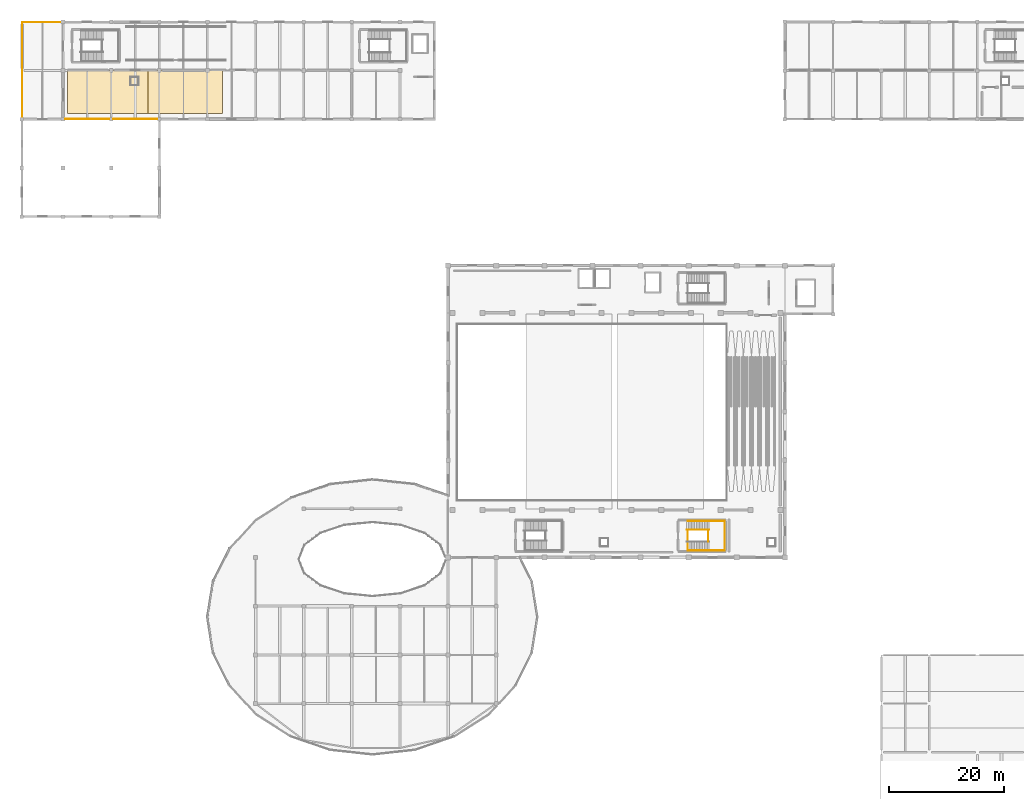
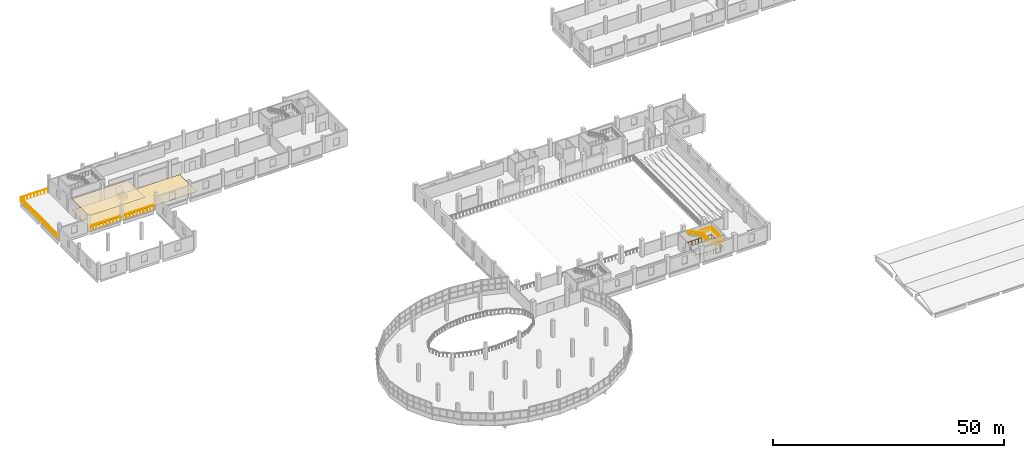
# One storey, part 46 of 50: 7 railings, 2 coverings.
"""IFC4 building model written with IfcOpenShell, lengths in metres."""

from ifc_helpers import new_model, si_unit, direction, frame, origin, origin_2d, place, context, subcontext, project, spatial, polyline, circle, outline, extrude, material, layer, layer_set, type_object, element, save


model = new_model("IFC4")

# Units and contexts
model_context = context("Model", 3, precision=1e-05, world=origin(), true_north=direction((0.0, 1.0)))
body_context = subcontext(model_context, "Body", "Model", "MODEL_VIEW")
ifc_project = project(units=[si_unit("LENGTHUNIT", "METRE"), si_unit("AREAUNIT", "SQUARE_METRE"), si_unit("VOLUMEUNIT", "CUBIC_METRE"), si_unit("PLANEANGLEUNIT", "RADIAN"), si_unit("MASSUNIT", "GRAM", prefix="KILO")], contexts=[model_context])

# Site, building, storey
site_placement = place(None, origin())
site = spatial("IfcSite", under=ifc_project, at=site_placement, CompositionType="ELEMENT")
building_placement = place(site_placement, origin())
building = spatial("IfcBuilding", under=site, at=building_placement, Name="Solvento Point Concert Hall", CompositionType="ELEMENT")
storey_placement = place(building_placement, frame((0.0, 0.0, 15.0)))
storey = spatial("IfcBuildingStorey", under=building, at=storey_placement, Name="L03", CompositionType="ELEMENT", Elevation=15.0)

# Covering
ifc_material_1 = material(Name="Suspended Timber-Slat Acoustic Ceiling", Category="wood")
ifc_layer_1 = layer(ifc_material_1, 0.050048828125)
ifc_layer_set_1 = layer_set([ifc_layer_1], Name="Suspended Timber-Slat Acoustic Ceiling")
covering_type_1 = type_object("IfcCoveringType", Name="AcousticCeiling_Timber", PredefinedType="CEILING", material=ifc_layer_set_1)
covering_1_placement = place(storey_placement, frame((0.0, 0.0, 3.0)))
element("IfcCovering", 1, at=covering_1_placement, inside=storey, type_object=covering_type_1, Name="Acoustic timber reflector ceiling CLG-V4-REC", PredefinedType="CEILING", context=body_context, shape_type="SweptSolid", body=[
    extrude(outline(polyline([(8.0, 120.0), (22.0, 120.0), (22.0, 127.5), (8.0, 127.5), (8.0, 120.0)])), origin(), (0.0, 0.0, 1.0), 0.050048828125),
])

# Railings
ifc_material_2 = material(Name="Brushed Stainless Steel Balustrade", Category="steel")
railing_type_1 = type_object("IfcRailingType", Name="StairHandrail_915", PredefinedType="HANDRAIL", material=ifc_material_2)
railing_1_placement = place(storey_placement, frame((119.969970703125, 47.35009765625, 2.39990234375)))
element("IfcRailing", 2, at=railing_1_placement, inside=storey, type_object=railing_type_1, Name="Stair handrail HR-01 ST-07 L03 F2", PredefinedType="HANDRAIL", context=body_context, shape_type="SweptSolid", body=[
    extrude(circle(Radius=0.0224609375, at=origin_2d()), frame((0.0, 0.0, 0.892578125), z_axis=(-0.881466911329, 0.0, 0.472245787945), x_axis=(0.0, -1.0, 0.0)), (0.0, 0.0, 1.0), 4.447021484375),
    extrude(circle(Radius=0.01904296875, at=origin_2d()), origin(), (0.0, 0.0, 1.0), 0.8701171875),
    extrude(circle(Radius=0.01904296875, at=origin_2d()), frame((-0.783935546875, 0.0, 0.419921875)), (0.0, 0.0, 1.0), 0.8701171875),
    extrude(circle(Radius=0.01904296875, at=origin_2d()), frame((-1.56787109375, 0.0, 0.840087890625)), (0.0, 0.0, 1.0), 0.8701171875),
    extrude(circle(Radius=0.01904296875, at=origin_2d()), frame((-2.35205078125, 0.0, 1.260009765625)), (0.0, 0.0, 1.0), 0.8701171875),
    extrude(circle(Radius=0.01904296875, at=origin_2d()), frame((-3.135986328125, 0.0, 1.68017578125)), (0.0, 0.0, 1.0), 0.8701171875),
    extrude(circle(Radius=0.01904296875, at=origin_2d()), frame((-3.919921875, 0.0, 2.10009765625)), (0.0, 0.0, 1.0), 0.8701171875),
])
ifc_material_3 = material(Name="Brushed Stainless Steel Balustrade", Category="steel")
railing_type_2 = type_object("IfcRailingType", Name="StairWellGuard_1100", PredefinedType="BALUSTRADE", material=ifc_material_3)
railing_2_placement = place(storey_placement, frame((116.219970703125, 47.300048828125, 0.0)))
element("IfcRailing", 3, at=railing_2_placement, inside=storey, type_object=railing_type_2, Name="Stairwell guard GR-02 ST-07 L03", PredefinedType="BALUSTRADE", context=body_context, shape_type="SweptSolid", body=[
    extrude(circle(Radius=0.02392578125, at=origin_2d()), frame((0.0, 0.0, 1.09619140625), z_axis=(0.0, -1.0, 0.0), x_axis=(1.0, 0.0, 0.0)), (0.0, 0.0, 1.0), 3.580078125),
    extrude(circle(Radius=0.02392578125, at=origin_2d()), frame((0.0, -3.580078125, 1.09619140625), z_axis=(1.0, 0.0, 0.0), x_axis=(0.0, 1.0, 0.0)), (0.0, 0.0, 1.0), 6.4599609375),
    extrude(circle(Radius=0.02392578125, at=origin_2d()), frame((6.4599609375, -3.580078125, 1.09619140625), z_axis=(0.0, 1.0, 0.0), x_axis=(-1.0, 0.0, 0.0)), (0.0, 0.0, 1.0), 5.159912109375),
    extrude(circle(Radius=0.02392578125, at=origin_2d()), frame((6.4599609375, 1.579833984375, 1.09619140625), z_axis=(-1.0, 0.0, 0.0), x_axis=(0.0, -1.0, 0.0)), (0.0, 0.0, 1.0), 6.4599609375),
    extrude(circle(Radius=0.02392578125, at=origin_2d()), frame((0.0, 1.579833984375, 1.09619140625), z_axis=(0.0, 1.0, 0.0), x_axis=(-1.0, 0.0, 0.0)), (0.0, 0.0, 1.0), 0.02001953125),
    extrude(circle(Radius=0.02099609375, at=origin_2d()), origin(), (0.0, 0.0, 1.0), 1.072021484375),
    extrude(circle(Radius=0.02099609375, at=origin_2d()), frame((0.0, -0.89501953125, 0.0)), (0.0, 0.0, 1.0), 1.072021484375),
    extrude(circle(Radius=0.02099609375, at=origin_2d()), frame((0.0, -1.7900390625, 0.0)), (0.0, 0.0, 1.0), 1.072021484375),
    extrude(circle(Radius=0.02099609375, at=origin_2d()), frame((0.0, -2.68505859375, 0.0)), (0.0, 0.0, 1.0), 1.072021484375),
    extrude(circle(Radius=0.02099609375, at=origin_2d()), frame((0.0, -3.580078125, 0.0)), (0.0, 0.0, 1.0), 1.072021484375),
    extrude(circle(Radius=0.02099609375, at=origin_2d()), frame((0.8076171875, -3.580078125, 0.0)), (0.0, 0.0, 1.0), 1.072021484375),
    extrude(circle(Radius=0.02099609375, at=origin_2d()), frame((1.614990234375, -3.580078125, 0.0)), (0.0, 0.0, 1.0), 1.072021484375),
    extrude(circle(Radius=0.02099609375, at=origin_2d()), frame((2.42236328125, -3.580078125, 0.0)), (0.0, 0.0, 1.0), 1.072021484375),
    extrude(circle(Radius=0.02099609375, at=origin_2d()), frame((3.22998046875, -3.580078125, 0.0)), (0.0, 0.0, 1.0), 1.072021484375),
    extrude(circle(Radius=0.02099609375, at=origin_2d()), frame((4.03759765625, -3.580078125, 0.0)), (0.0, 0.0, 1.0), 1.072021484375),
    extrude(circle(Radius=0.02099609375, at=origin_2d()), frame((4.844970703125, -3.580078125, 0.0)), (0.0, 0.0, 1.0), 1.072021484375),
    extrude(circle(Radius=0.02099609375, at=origin_2d()), frame((5.65234375, -3.580078125, 0.0)), (0.0, 0.0, 1.0), 1.072021484375),
    extrude(circle(Radius=0.02099609375, at=origin_2d()), frame((6.4599609375, -3.580078125, 0.0)), (0.0, 0.0, 1.0), 1.072021484375),
    extrude(circle(Radius=0.02099609375, at=origin_2d()), frame((6.4599609375, -2.72021484375, 0.0)), (0.0, 0.0, 1.0), 1.072021484375),
    extrude(circle(Radius=0.02099609375, at=origin_2d()), frame((6.4599609375, -1.860107421875, 0.0)), (0.0, 0.0, 1.0), 1.072021484375),
    extrude(circle(Radius=0.02099609375, at=origin_2d()), frame((6.4599609375, -1.0, 0.0)), (0.0, 0.0, 1.0), 1.072021484375),
    extrude(circle(Radius=0.02099609375, at=origin_2d()), frame((6.4599609375, -0.14013671875, 0.0)), (0.0, 0.0, 1.0), 1.072021484375),
    extrude(circle(Radius=0.02099609375, at=origin_2d()), frame((6.4599609375, 0.7197265625, 0.0)), (0.0, 0.0, 1.0), 1.072021484375),
    extrude(circle(Radius=0.02099609375, at=origin_2d()), frame((6.4599609375, 1.579833984375, 0.0)), (0.0, 0.0, 1.0), 1.072021484375),
    extrude(circle(Radius=0.02099609375, at=origin_2d()), frame((5.65234375, 1.579833984375, 0.0)), (0.0, 0.0, 1.0), 1.072021484375),
    extrude(circle(Radius=0.02099609375, at=origin_2d()), frame((4.844970703125, 1.579833984375, 0.0)), (0.0, 0.0, 1.0), 1.072021484375),
    extrude(circle(Radius=0.02099609375, at=origin_2d()), frame((4.03759765625, 1.579833984375, 0.0)), (0.0, 0.0, 1.0), 1.072021484375),
    extrude(circle(Radius=0.02099609375, at=origin_2d()), frame((3.22998046875, 1.579833984375, 0.0)), (0.0, 0.0, 1.0), 1.072021484375),
    extrude(circle(Radius=0.02099609375, at=origin_2d()), frame((2.42236328125, 1.579833984375, 0.0)), (0.0, 0.0, 1.0), 1.072021484375),
    extrude(circle(Radius=0.02099609375, at=origin_2d()), frame((1.614990234375, 1.579833984375, 0.0)), (0.0, 0.0, 1.0), 1.072021484375),
    extrude(circle(Radius=0.02099609375, at=origin_2d()), frame((0.8076171875, 1.579833984375, 0.0)), (0.0, 0.0, 1.0), 1.072021484375),
    extrude(circle(Radius=0.02099609375, at=origin_2d()), frame((0.0, 1.579833984375, 0.0)), (0.0, 0.0, 1.0), 1.072021484375),
    extrude(circle(Radius=0.02099609375, at=origin_2d()), frame((0.0, 1.599853515625, 0.0)), (0.0, 0.0, 1.0), 1.072021484375),
])
railing_3_placement = place(storey_placement, frame((119.800048828125, 43.699951171875, 2.25)))
element("IfcRailing", 4, at=railing_3_placement, inside=storey, type_object=railing_type_2, Name="Half-landing perimeter guard GR-02 ST-07 L03", PredefinedType="BALUSTRADE", context=body_context, shape_type="SweptSolid", body=[
    extrude(circle(Radius=0.02392578125, at=origin_2d()), frame((0.0, 0.0, 1.09619140625), z_axis=(0.999976171564, 0.006903354611, 0.0), x_axis=(-0.006903354611, 0.999976171564, 0.0)), (0.0, 0.0, 1.0), 2.89990234375),
    extrude(circle(Radius=0.02392578125, at=origin_2d()), frame((2.89990234375, 0.02001953125, 1.09619140625), z_axis=(0.0, 1.0, 0.0), x_axis=(-1.0, 0.0, 0.0)), (0.0, 0.0, 1.0), 5.159912109375),
    extrude(circle(Radius=0.02392578125, at=origin_2d()), frame((2.89990234375, 5.179931640625, 1.09619140625), z_axis=(-0.999976171564, 0.006903354611, 0.0), x_axis=(-0.006903354611, -0.999976171564, 0.0)), (0.0, 0.0, 1.0), 2.89990234375),
    extrude(circle(Radius=0.02099609375, at=origin_2d()), origin(), (0.0, 0.0, 1.0), 1.072021484375),
    extrude(circle(Radius=0.02099609375, at=origin_2d()), frame((0.72509765625, 0.0048828125, 0.0)), (0.0, 0.0, 1.0), 1.072021484375),
    extrude(circle(Radius=0.02099609375, at=origin_2d()), frame((1.449951171875, 0.010009765625, 0.0)), (0.0, 0.0, 1.0), 1.072021484375),
    extrude(circle(Radius=0.02099609375, at=origin_2d()), frame((2.1748046875, 0.01513671875, 0.0)), (0.0, 0.0, 1.0), 1.072021484375),
    extrude(circle(Radius=0.02099609375, at=origin_2d()), frame((2.89990234375, 0.02001953125, 0.0)), (0.0, 0.0, 1.0), 1.072021484375),
    extrude(circle(Radius=0.02099609375, at=origin_2d()), frame((2.89990234375, 0.757080078125, 0.0)), (0.0, 0.0, 1.0), 1.072021484375),
    extrude(circle(Radius=0.02099609375, at=origin_2d()), frame((2.89990234375, 1.494384765625, 0.0)), (0.0, 0.0, 1.0), 1.072021484375),
    extrude(circle(Radius=0.02099609375, at=origin_2d()), frame((2.89990234375, 2.2314453125, 0.0)), (0.0, 0.0, 1.0), 1.072021484375),
    extrude(circle(Radius=0.02099609375, at=origin_2d()), frame((2.89990234375, 2.968505859375, 0.0)), (0.0, 0.0, 1.0), 1.072021484375),
    extrude(circle(Radius=0.02099609375, at=origin_2d()), frame((2.89990234375, 3.70556640625, 0.0)), (0.0, 0.0, 1.0), 1.072021484375),
    extrude(circle(Radius=0.02099609375, at=origin_2d()), frame((2.89990234375, 4.44287109375, 0.0)), (0.0, 0.0, 1.0), 1.072021484375),
    extrude(circle(Radius=0.02099609375, at=origin_2d()), frame((2.89990234375, 5.179931640625, 0.0)), (0.0, 0.0, 1.0), 1.072021484375),
    extrude(circle(Radius=0.02099609375, at=origin_2d()), frame((2.1748046875, 5.18505859375, 0.0)), (0.0, 0.0, 1.0), 1.072021484375),
    extrude(circle(Radius=0.02099609375, at=origin_2d()), frame((1.449951171875, 5.18994140625, 0.0)), (0.0, 0.0, 1.0), 1.072021484375),
    extrude(circle(Radius=0.02099609375, at=origin_2d()), frame((0.72509765625, 5.19482421875, 0.0)), (0.0, 0.0, 1.0), 1.072021484375),
    extrude(circle(Radius=0.02099609375, at=origin_2d()), frame((0.0, 5.199951171875, 0.0)), (0.0, 0.0, 1.0), 1.072021484375),
])
railing_4_placement = place(storey_placement, frame((119.800048828125, 45.300048828125, 2.25)))
element("IfcRailing", 5, at=railing_4_placement, inside=storey, type_object=railing_type_2, Name="Half-landing slot guard GR-02 ST-07 L03", PredefinedType="BALUSTRADE", context=body_context, shape_type="SweptSolid", body=[
    extrude(circle(Radius=0.02392578125, at=origin_2d()), frame((0.0, 0.0, 1.09619140625), z_axis=(0.0, 1.0, 0.0), x_axis=(-1.0, 0.0, 0.0)), (0.0, 0.0, 1.0), 2.0),
    extrude(circle(Radius=0.02099609375, at=origin_2d()), origin(), (0.0, 0.0, 1.0), 1.072021484375),
    extrude(circle(Radius=0.02099609375, at=origin_2d()), frame((0.0, 0.666748046875, 0.0)), (0.0, 0.0, 1.0), 1.072021484375),
    extrude(circle(Radius=0.02099609375, at=origin_2d()), frame((0.0, 1.333251953125, 0.0)), (0.0, 0.0, 1.0), 1.072021484375),
    extrude(circle(Radius=0.02099609375, at=origin_2d()), frame((0.0, 2.0, 0.0)), (0.0, 0.0, 1.0), 1.072021484375),
])
ifc_material_4 = material(Name="Brushed Stainless Steel Balustrade", Category="steel")
railing_type_3 = type_object("IfcRailingType", Name="TerraceBalustrade_1100", PredefinedType="BALUSTRADE", material=ifc_material_4)
railing_5_placement = place(storey_placement, frame((23.625, 119.06005859375, 0.0)))
element("IfcRailing", 6, at=railing_5_placement, inside=storey, type_object=railing_type_3, Name="Guard balustrade GR-01 L03", PredefinedType="BALUSTRADE", context=body_context, shape_type="SweptSolid", body=[
    extrude(circle(Radius=0.02392578125, at=origin_2d()), frame((0.0, 0.0, 1.09619140625), z_axis=(-1.0, 0.0, 0.0), x_axis=(0.0, -1.0, 0.0)), (0.0, 0.0, 1.0), 7.64990234375),
    extrude(circle(Radius=0.02099609375, at=origin_2d()), origin(), (0.0, 0.0, 1.0), 1.072021484375),
    extrude(circle(Radius=0.02099609375, at=origin_2d()), frame((-0.85009765625, 0.0, 0.0)), (0.0, 0.0, 1.0), 1.072021484375),
    extrude(circle(Radius=0.02099609375, at=origin_2d()), frame((-1.699951171875, 0.0, 0.0)), (0.0, 0.0, 1.0), 1.072021484375),
    extrude(circle(Radius=0.02099609375, at=origin_2d()), frame((-2.550048828125, 0.0, 0.0)), (0.0, 0.0, 1.0), 1.072021484375),
    extrude(circle(Radius=0.02099609375, at=origin_2d()), frame((-3.39990234375, 0.0, 0.0)), (0.0, 0.0, 1.0), 1.072021484375),
    extrude(circle(Radius=0.02099609375, at=origin_2d()), frame((-4.25, 0.0, 0.0)), (0.0, 0.0, 1.0), 1.072021484375),
    extrude(circle(Radius=0.02099609375, at=origin_2d()), frame((-5.099853515625, 0.0, 0.0)), (0.0, 0.0, 1.0), 1.072021484375),
    extrude(circle(Radius=0.02099609375, at=origin_2d()), frame((-5.949951171875, 0.0, 0.0)), (0.0, 0.0, 1.0), 1.072021484375),
    extrude(circle(Radius=0.02099609375, at=origin_2d()), frame((-6.7998046875, 0.0, 0.0)), (0.0, 0.0, 1.0), 1.072021484375),
    extrude(circle(Radius=0.02099609375, at=origin_2d()), frame((-7.64990234375, 0.0, 0.0)), (0.0, 0.0, 1.0), 1.072021484375),
])
railing_6_placement = place(storey_placement, frame((15.22509765625, 119.06005859375, 0.0)))
element("IfcRailing", 7, at=railing_6_placement, inside=storey, type_object=railing_type_3, Name="Guard balustrade GR-01 L03", PredefinedType="BALUSTRADE", context=body_context, shape_type="SweptSolid", body=[
    extrude(circle(Radius=0.02392578125, at=origin_2d()), frame((0.0, 0.0, 1.09619140625), z_axis=(-1.0, 0.0, 0.0), x_axis=(0.0, -1.0, 0.0)), (0.0, 0.0, 1.0), 7.650146484375),
    extrude(circle(Radius=0.02099609375, at=origin_2d()), origin(), (0.0, 0.0, 1.0), 1.072021484375),
    extrude(circle(Radius=0.02099609375, at=origin_2d()), frame((-0.85009765625, 0.0, 0.0)), (0.0, 0.0, 1.0), 1.072021484375),
    extrude(circle(Radius=0.02099609375, at=origin_2d()), frame((-1.699951171875, 0.0, 0.0)), (0.0, 0.0, 1.0), 1.072021484375),
    extrude(circle(Radius=0.02099609375, at=origin_2d()), frame((-2.550048828125, 0.0, 0.0)), (0.0, 0.0, 1.0), 1.072021484375),
    extrude(circle(Radius=0.02099609375, at=origin_2d()), frame((-3.400146484375, 0.0, 0.0)), (0.0, 0.0, 1.0), 1.072021484375),
    extrude(circle(Radius=0.02099609375, at=origin_2d()), frame((-4.25, 0.0, 0.0)), (0.0, 0.0, 1.0), 1.072021484375),
    extrude(circle(Radius=0.02099609375, at=origin_2d()), frame((-5.10009765625, 0.0, 0.0)), (0.0, 0.0, 1.0), 1.072021484375),
    extrude(circle(Radius=0.02099609375, at=origin_2d()), frame((-5.9501953125, 0.0, 0.0)), (0.0, 0.0, 1.0), 1.072021484375),
    extrude(circle(Radius=0.02099609375, at=origin_2d()), frame((-6.800048828125, 0.0, 0.0)), (0.0, 0.0, 1.0), 1.072021484375),
    extrude(circle(Radius=0.02099609375, at=origin_2d()), frame((-7.650146484375, 0.0, 0.0)), (0.0, 0.0, 1.0), 1.072021484375),
])
railing_7_placement = place(storey_placement, frame((0.06005859375, 119.375, 0.0)))
element("IfcRailing", 8, at=railing_7_placement, inside=storey, type_object=railing_type_3, Name="Guard balustrade GR-01 L03", PredefinedType="BALUSTRADE", context=body_context, shape_type="SweptSolid", body=[
    extrude(circle(Radius=0.02392578125, at=origin_2d()), frame((0.0, 0.0, 1.09619140625), z_axis=(0.0, 1.0, 0.0), x_axis=(-1.0, 0.0, 0.0)), (0.0, 0.0, 1.0), 16.56494140625),
    extrude(circle(Radius=0.02392578125, at=origin_2d()), frame((0.0, 16.56494140625, 1.09619140625), z_axis=(1.0, 0.0, 0.0), x_axis=(0.0, 1.0, 0.0)), (0.0, 0.0, 1.0), 6.764892578125),
    extrude(circle(Radius=0.02099609375, at=origin_2d()), origin(), (0.0, 0.0, 1.0), 1.072021484375),
    extrude(circle(Radius=0.02099609375, at=origin_2d()), frame((0.0, 0.871826171875, 0.0)), (0.0, 0.0, 1.0), 1.072021484375),
    extrude(circle(Radius=0.02099609375, at=origin_2d()), frame((0.0, 1.74365234375, 0.0)), (0.0, 0.0, 1.0), 1.072021484375),
    extrude(circle(Radius=0.02099609375, at=origin_2d()), frame((0.0, 2.615478515625, 0.0)), (0.0, 0.0, 1.0), 1.072021484375),
    extrude(circle(Radius=0.02099609375, at=origin_2d()), frame((0.0, 3.4873046875, 0.0)), (0.0, 0.0, 1.0), 1.072021484375),
    extrude(circle(Radius=0.02099609375, at=origin_2d()), frame((0.0, 4.359130859375, 0.0)), (0.0, 0.0, 1.0), 1.072021484375),
    extrude(circle(Radius=0.02099609375, at=origin_2d()), frame((0.0, 5.23095703125, 0.0)), (0.0, 0.0, 1.0), 1.072021484375),
    extrude(circle(Radius=0.02099609375, at=origin_2d()), frame((0.0, 6.102783203125, 0.0)), (0.0, 0.0, 1.0), 1.072021484375),
    extrude(circle(Radius=0.02099609375, at=origin_2d()), frame((0.0, 6.974609375, 0.0)), (0.0, 0.0, 1.0), 1.072021484375),
    extrude(circle(Radius=0.02099609375, at=origin_2d()), frame((0.0, 7.846435546875, 0.0)), (0.0, 0.0, 1.0), 1.072021484375),
    extrude(circle(Radius=0.02099609375, at=origin_2d()), frame((0.0, 8.718505859375, 0.0)), (0.0, 0.0, 1.0), 1.072021484375),
    extrude(circle(Radius=0.02099609375, at=origin_2d()), frame((0.0, 9.59033203125, 0.0)), (0.0, 0.0, 1.0), 1.072021484375),
    extrude(circle(Radius=0.02099609375, at=origin_2d()), frame((0.0, 10.462158203125, 0.0)), (0.0, 0.0, 1.0), 1.072021484375),
    extrude(circle(Radius=0.02099609375, at=origin_2d()), frame((0.0, 11.333984375, 0.0)), (0.0, 0.0, 1.0), 1.072021484375),
    extrude(circle(Radius=0.02099609375, at=origin_2d()), frame((0.0, 12.205810546875, 0.0)), (0.0, 0.0, 1.0), 1.072021484375),
    extrude(circle(Radius=0.02099609375, at=origin_2d()), frame((0.0, 13.07763671875, 0.0)), (0.0, 0.0, 1.0), 1.072021484375),
    extrude(circle(Radius=0.02099609375, at=origin_2d()), frame((0.0, 13.949462890625, 0.0)), (0.0, 0.0, 1.0), 1.072021484375),
    extrude(circle(Radius=0.02099609375, at=origin_2d()), frame((0.0, 14.8212890625, 0.0)), (0.0, 0.0, 1.0), 1.072021484375),
    extrude(circle(Radius=0.02099609375, at=origin_2d()), frame((0.0, 15.693115234375, 0.0)), (0.0, 0.0, 1.0), 1.072021484375),
    extrude(circle(Radius=0.02099609375, at=origin_2d()), frame((0.0, 16.56494140625, 0.0)), (0.0, 0.0, 1.0), 1.072021484375),
    extrude(circle(Radius=0.02099609375, at=origin_2d()), frame((0.845703125, 16.56494140625, 0.0)), (0.0, 0.0, 1.0), 1.072021484375),
    extrude(circle(Radius=0.02099609375, at=origin_2d()), frame((1.691162109375, 16.56494140625, 0.0)), (0.0, 0.0, 1.0), 1.072021484375),
    extrude(circle(Radius=0.02099609375, at=origin_2d()), frame((2.536865234375, 16.56494140625, 0.0)), (0.0, 0.0, 1.0), 1.072021484375),
    extrude(circle(Radius=0.02099609375, at=origin_2d()), frame((3.38232421875, 16.56494140625, 0.0)), (0.0, 0.0, 1.0), 1.072021484375),
    extrude(circle(Radius=0.02099609375, at=origin_2d()), frame((4.22802734375, 16.56494140625, 0.0)), (0.0, 0.0, 1.0), 1.072021484375),
    extrude(circle(Radius=0.02099609375, at=origin_2d()), frame((5.07373046875, 16.56494140625, 0.0)), (0.0, 0.0, 1.0), 1.072021484375),
    extrude(circle(Radius=0.02099609375, at=origin_2d()), frame((5.919189453125, 16.56494140625, 0.0)), (0.0, 0.0, 1.0), 1.072021484375),
    extrude(circle(Radius=0.02099609375, at=origin_2d()), frame((6.764892578125, 16.56494140625, 0.0)), (0.0, 0.0, 1.0), 1.072021484375),
])

# Covering
ifc_material_5 = material(Name="Coral-Sand Terrazzo Flooring")
ifc_layer_2 = layer(ifc_material_5, 0.02490234375)
ifc_layer_set_2 = layer_set([ifc_layer_2], Name="Coral-Sand Terrazzo Flooring")
covering_type_2 = type_object("IfcCoveringType", Name="TerrazzoFlooring_25", PredefinedType="FLOORING", material=ifc_layer_set_2)
covering_2_placement = place(storey_placement, origin())
element("IfcCovering", 9, at=covering_2_placement, inside=storey, type_object=covering_type_2, Name="Coral-sand terrazzo floor finish FLR-L03-REC", PredefinedType="FLOORING", context=body_context, shape_type="SweptSolid", body=[
    extrude(outline(polyline([(8.0, 120.0), (35.0, 120.0), (35.0, 127.5), (8.0, 127.5), (8.0, 120.0)])), origin(), (0.0, 0.0, 1.0), 0.02490234375),
])

save(model, "model.ifc")
